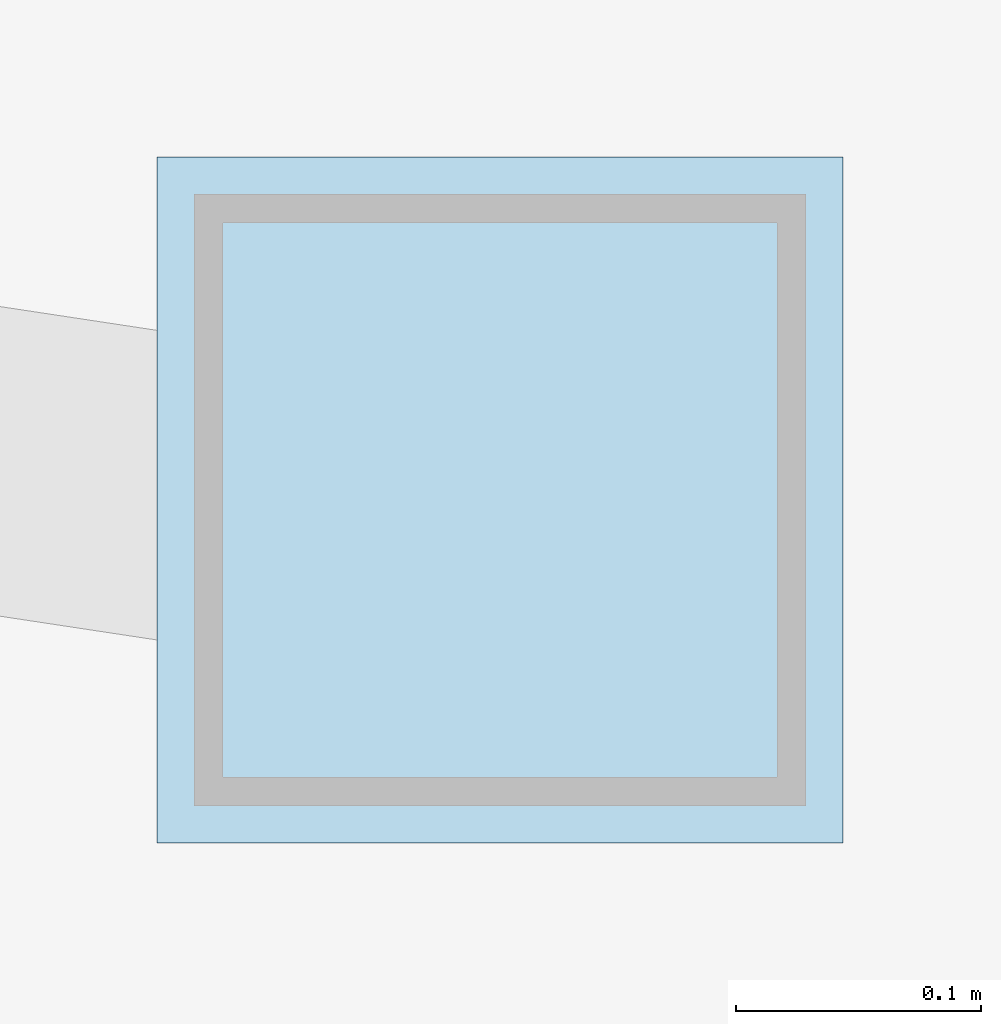
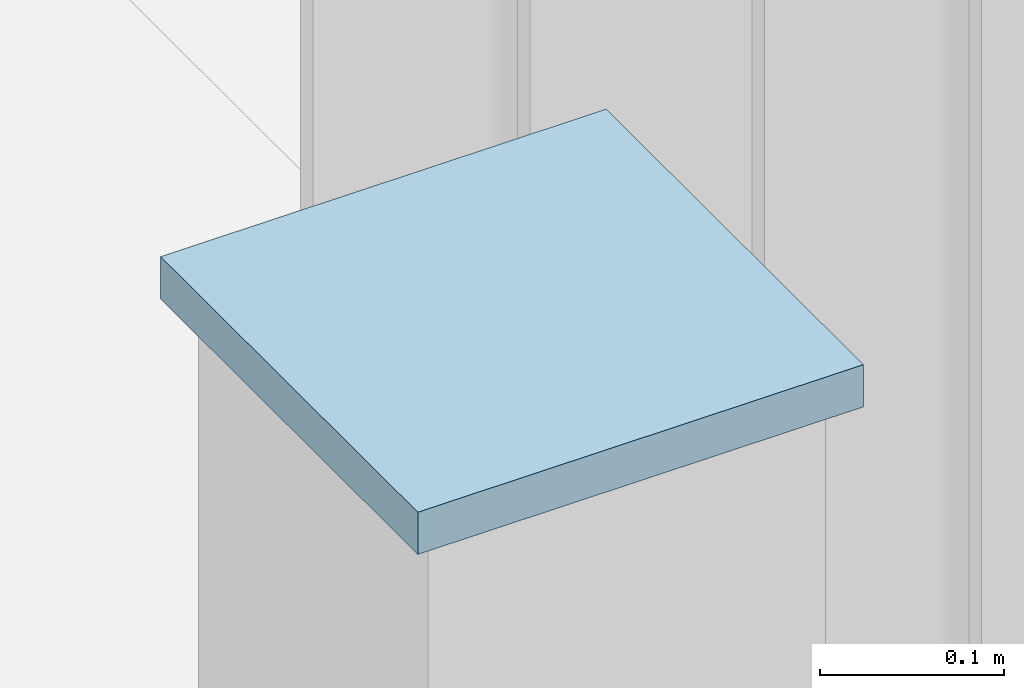
# One storey, part 76 of 117: 1 plate.
"""IFC4 building model written with IfcOpenShell, lengths in metres."""

from ifc_helpers import new_model, si_unit, direction, frame, origin, origin_2d, place, context, subcontext, project, spatial, rectangle, extrude, material, layer, layer_set, type_object, element, save


model = new_model("IFC4")

# Units and contexts
model_context = context("Model", 3, precision=1e-05, world=origin(), true_north=direction((0.0, 1.0)))
body_context = subcontext(model_context, "Body", "Model", "MODEL_VIEW")
ifc_project = project(units=[si_unit("LENGTHUNIT", "METRE"), si_unit("AREAUNIT", "SQUARE_METRE"), si_unit("VOLUMEUNIT", "CUBIC_METRE"), si_unit("PLANEANGLEUNIT", "RADIAN"), si_unit("MASSUNIT", "GRAM", prefix="KILO")], contexts=[model_context])

# Site, building, storey
site_placement = place(None, origin())
site = spatial("IfcSite", under=ifc_project, at=site_placement, CompositionType="ELEMENT")
building_placement = place(site_placement, origin())
building = spatial("IfcBuilding", under=site, at=building_placement, Name="Kamomehara Wholesale Market", CompositionType="ELEMENT")
storey_placement = place(building_placement, origin())
storey = spatial("IfcBuildingStorey", under=building, at=storey_placement, Name="L00", CompositionType="ELEMENT", Elevation=0.0)

# Plate
ifc_material = material(Name="Steel SN490B", Category="steel")
ifc_layer = layer(ifc_material, 0.028076171875)
ifc_layer_set = layer_set([ifc_layer], Name="Steel SN490B")
plate_type = type_object("IfcPlateType", Name="PLT-BAS-28", PredefinedType="USERDEFINED", material=ifc_layer_set)
plate_placement = place(storey_placement, frame((188.300048828125, 15.0, 6.60009765625), z_axis=(0.0, 0.0, 1.0), x_axis=(1.0, 0.0, 0.0)))
element("IfcPlate", 1, at=plate_placement, inside=storey, type_object=plate_type, Name="Hollow column top cap plate 188", ObjectType="BASE PLATE", PredefinedType="USERDEFINED", context=body_context, shape_type="SweptSolid", body=[
    extrude(rectangle(XDim=0.280029296875, YDim=0.280029296875, at=origin_2d()), origin(), (0.0, 0.0, 1.0), 0.028076171875),
])

save(model, "model.ifc")
